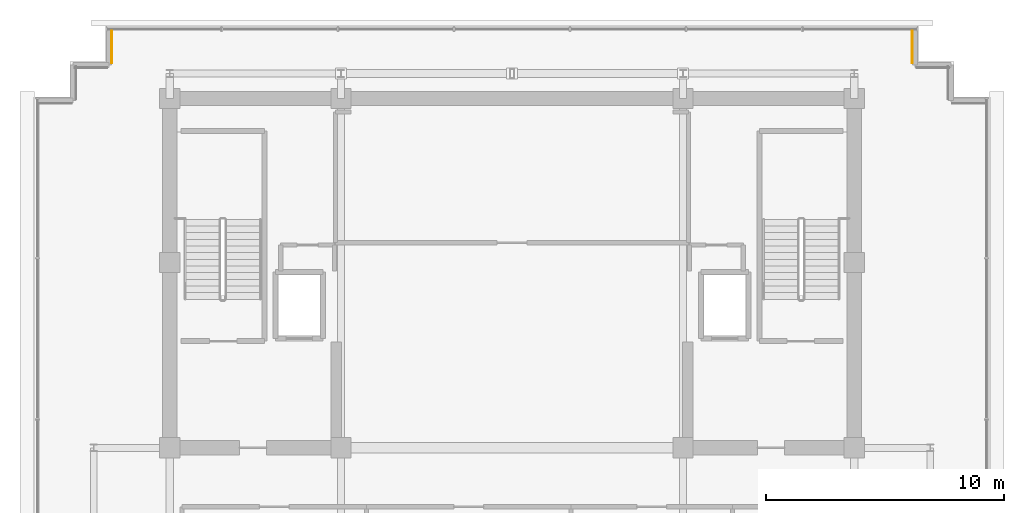
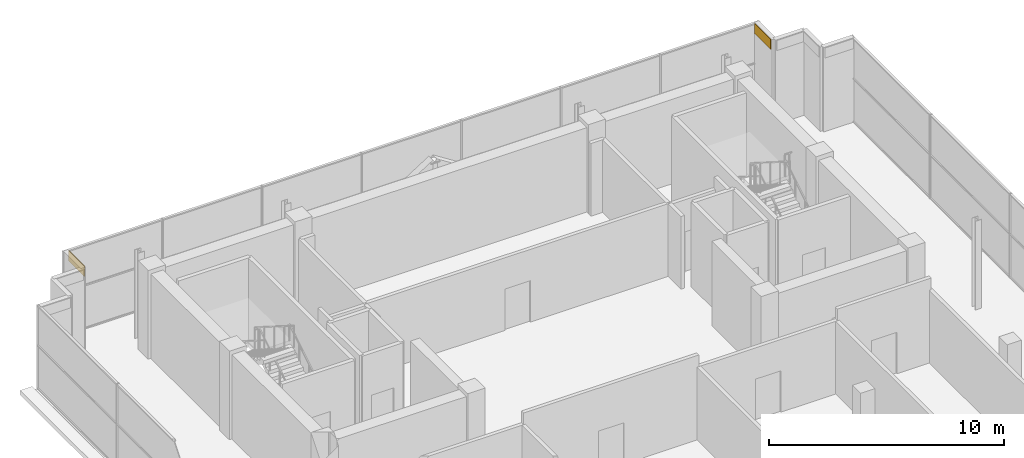
# One storey, part 28 of 28: 2 coverings.
"""IFC4 building model written with IfcOpenShell, lengths in metres."""

from ifc_helpers import new_model, si_unit, direction, frame, origin, origin_2d, place, context, subcontext, project, spatial, rectangle, extrude, source, transform, mapped, material, layer, layer_set, type_object, element, save


model = new_model("IFC4")

# Units and contexts
model_context = context("Model", 3, precision=1e-05, world=origin(), true_north=direction((0.0, 1.0)))
body_context = subcontext(model_context, "Body", "Model", "MODEL_VIEW")
ifc_project = project(units=[si_unit("LENGTHUNIT", "METRE"), si_unit("AREAUNIT", "SQUARE_METRE"), si_unit("VOLUMEUNIT", "CUBIC_METRE"), si_unit("PLANEANGLEUNIT", "RADIAN"), si_unit("MASSUNIT", "GRAM", prefix="KILO")], contexts=[model_context])

# Site, building, storey
site_placement = place(None, origin())
site = spatial("IfcSite", under=ifc_project, at=site_placement, CompositionType="ELEMENT")
building_placement = place(site_placement, origin())
building = spatial("IfcBuilding", under=site, at=building_placement, Name="Zarnakvel Exchange Tower", CompositionType="ELEMENT")
storey_placement = place(building_placement, frame((0.0, 0.0, 276.199951171875)))
storey = spatial("IfcBuildingStorey", under=building, at=storey_placement, Name="Crown L78", CompositionType="ELEMENT", Elevation=276.199951171875)

# Coverings
ifc_material = material(Name="Glazed Turquoise Ceramic Architectural Tile", Category="ceramic")
ifc_layer = layer(ifc_material, 0.028076171875)
ifc_layer_set = layer_set([ifc_layer], Name="Glazed Turquoise Ceramic Architectural Tile")
covering_type = type_object("IfcCoveringType", Name="CL-01", PredefinedType="CLADDING", material=ifc_layer_set)
shared_shape = source(origin(), body_context, "Body", "SweptSolid", [
    extrude(rectangle(XDim=1.3798828125, YDim=0.028076171875, at=origin_2d()), origin(), (0.0, 0.0, 1.0), 0.52001953125),
])
for number, where, z_axis, x_axis, name in (
    (1, (-16.837890625, 15.659912109375, 3.840087890625), (0.0, 0.0, 1.0), (0.0, -1.0, 0.0), "Crown L78 Ceramic Spandrel Tilework CL-01"),
    (2, (16.837890625, 15.659912109375, 3.840087890625), (0.0, 0.0, 1.0), (0.0, 1.0, 0.0), "Crown L78 Ceramic Spandrel Tilework CL-01"),
):
    element("IfcCovering", number, at=place(storey_placement, frame(where, z_axis=z_axis, x_axis=x_axis)), inside=storey, type_object=covering_type, Name=name, PredefinedType="CLADDING", context=body_context, shape_type="MappedRepresentation", body=[
        mapped(shared_shape, transform((0.0, 0.0, 0.0), x_axis=(1.0, 0.0, 0.0), y_axis=(0.0, 1.0, 0.0), z_axis=(0.0, 0.0, 1.0), scale=1.0)),
    ])

save(model, "model.ifc")
